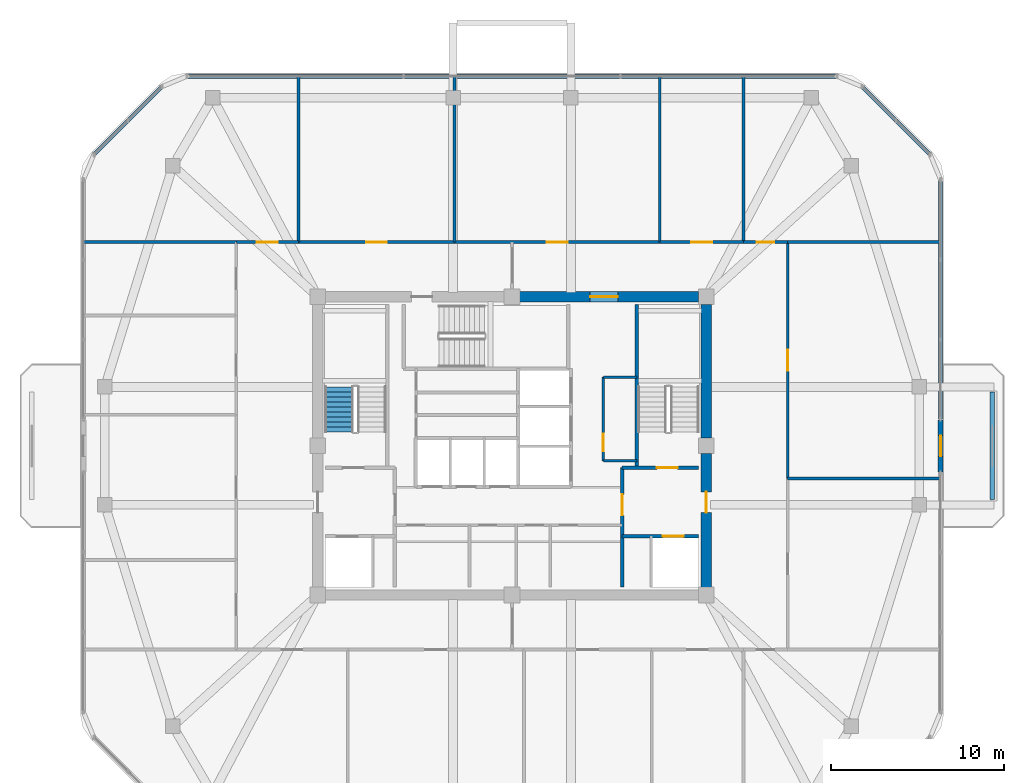
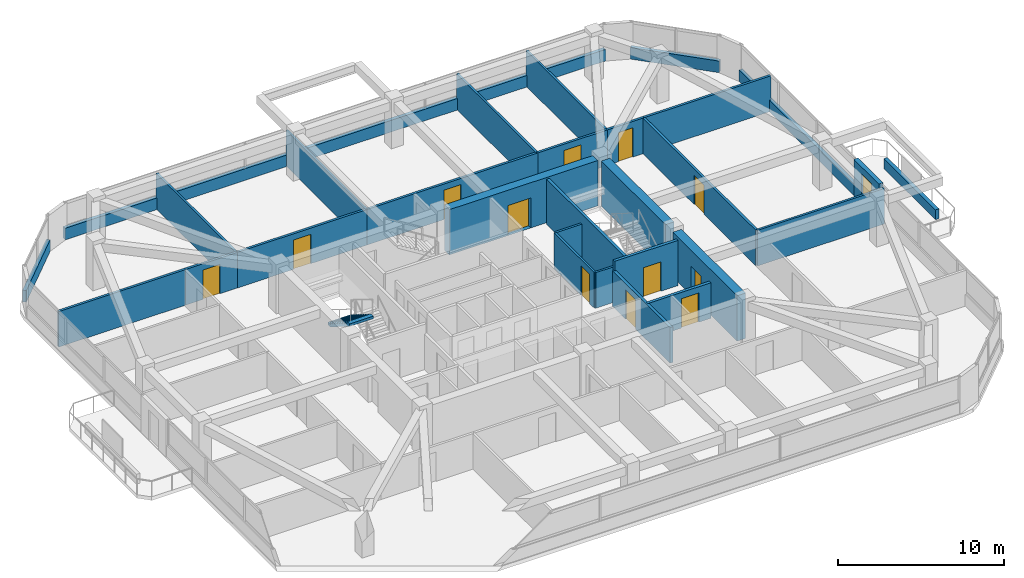
# One storey, part 11 of 14: 29 walls, 13 doors, 1 stair flight, 13 openings, 1 element without a shape of its own.
"""IFC4 building model written with IfcOpenShell, lengths in metres."""

from ifc_helpers import new_model, si_unit, derived_unit, direction, frame, frame_2d, origin, place, context, subcontext, project, spatial, polyline, rectangle, outline, extrude, material, layer, layer_set, type_object, element, fill, aggregate, save


model = new_model("IFC4")

# Units and contexts
model_context = context("Model", 3, precision=1e-05, world=origin(), true_north=direction((0.0, 1.0)))
body_context = subcontext(model_context, "Body", "Model", "MODEL_VIEW")
ifc_project = project(units=[si_unit("LENGTHUNIT", "METRE"), si_unit("AREAUNIT", "SQUARE_METRE"), si_unit("VOLUMEUNIT", "CUBIC_METRE"), si_unit("PLANEANGLEUNIT", "RADIAN"), si_unit("MASSUNIT", "GRAM", prefix="KILO"), derived_unit("THERMALTRANSMITTANCEUNIT", [(si_unit("POWERUNIT", "WATT"), 1), (si_unit("LENGTHUNIT", "METRE"), -2), (si_unit("THERMODYNAMICTEMPERATUREUNIT", "KELVIN"), -1)])], contexts=[model_context])

# Site, building, storey
site_placement = place(None, origin())
site = spatial("IfcSite", under=ifc_project, at=site_placement, CompositionType="ELEMENT")
building_placement = place(site_placement, origin())
building = spatial("IfcBuilding", under=site, at=building_placement, Name="Koralith Skygarden Medical Center", CompositionType="ELEMENT")
storey_placement = place(building_placement, frame((0.0, 0.0, 242.820068359375)))
storey = spatial("IfcBuildingStorey", under=building, at=storey_placement, Name="L62", CompositionType="ELEMENT", Elevation=242.820068359375)

# Wall, opening, door
ifc_material_1 = material(Name="Gypsum Board Partition")
ifc_layer_1 = layer(ifc_material_1, 0.14990234375)
ifc_layer_set_1 = layer_set([ifc_layer_1], Name="Gypsum Board Partition")
wall_type_1 = type_object("IfcWallType", Name="Clinical Acoustic Partition 150", PredefinedType="PARTITIONING", material=ifc_layer_set_1)
wall_1_placement = place(storey_placement, frame((42.27001953125, 25.0400390625, 0.0), z_axis=(0.0, 0.0, 1.0), x_axis=(0.0, 1.0, 0.0)))
wall_1 = element("IfcWall", 1, at=wall_1_placement, inside=storey, type_object=wall_type_1, Name="L62 Clinical Acoustic Partition 150 W-CORE-L62-ESUB-W", PredefinedType="PARTITIONING", context=body_context, shape_type="SweptSolid", body=[
    extrude(rectangle(XDim=4.820068359375, YDim=0.14990234375, at=frame_2d((2.41015625, 0.0))), origin(), (0.0, 0.0, 1.0), 2.60986328125),
])
opening_1_placement = place(wall_1_placement, frame((0.550048828125, 0.0, 0.0)))
opening_1 = element("IfcOpeningElement", 2, at=opening_1_placement, cuts=wall_1, Name="Opening D-SUP", PredefinedType="OPENING", context=body_context, shape_type="SweptSolid", body=[
    extrude(rectangle(XDim=1.0, YDim=2.14990234375, at=frame_2d((0.5, 1.074951171875))), frame((0.0, 0.0849609375, 0.0), z_axis=(0.0, -1.0, 0.0), x_axis=(1.0, 0.0, 0.0)), (0.0, 0.0, 1.0), 0.169921875),
])
ifc_material_2 = material(Name="Aluminium 6063-T6", Category="aluminium")
door_type_1 = type_object("IfcDoorType", Name="Clinical Support Door D-SUP 1000", OperationType="NOTDEFINED", PredefinedType="DOOR", material=ifc_material_2)
door_1_placement = place(opening_1_placement, origin())
door_1 = element("IfcDoor", 3, at=door_1_placement, inside=storey, type_object=door_type_1, Name="L62 Core Equipment Store Door", OperationType="SINGLE_SWING_LEFT", OverallHeight=2.14990234375, OverallWidth=1.0, PredefinedType="DOOR", context=body_context, shape_type="SweptSolid", body=[
    extrude(rectangle(XDim=1.0, YDim=2.14990234375, at=frame_2d((0.5, 1.074951171875))), frame((0.0, 0.02490234375, 0.0), z_axis=(0.0, -1.0, 0.0), x_axis=(1.0, 0.0, 0.0)), (0.0, 0.0, 1.0), 0.050048828125),
])
fill(opening_1, door_1)

# Walls
for number, where, z_axis, x_axis, name in (
    (4, (42.27001953125, 25.0400390625, 0.0), (0.0, 0.0, 1.0), (1.0, 0.0, 0.0), "L62 Clinical Acoustic Partition 150 W-CORE-L62-ESUB-S"),
    (5, (42.27001953125, 29.860107421875, 0.0), (0.0, 0.0, 1.0), (1.0, 0.0, 0.0), "L62 Clinical Acoustic Partition 150 W-CORE-L62-ESUB-N"),
):
    element("IfcWall", number, at=place(storey_placement, frame(where, z_axis=z_axis, x_axis=x_axis)), inside=storey, type_object=wall_type_1, Name=name, PredefinedType="PARTITIONING", context=body_context, shape_type="SweptSolid", body=[
        extrude(rectangle(XDim=1.929931640625, YDim=0.14990234375, at=frame_2d((0.96484375, 0.0))), origin(), (0.0, 0.0, 1.0), 2.60986328125),
    ])
for number, where, z_axis, x_axis, name in (
    (6, (24.68603515625, 37.64990234375, 0.0), (0.0, 0.0, 1.0), (0.0, 1.0, 0.0), "L62 Clinical Acoustic Partition 150 W-PART-L62-N-01"),
    (7, (33.68505859375, 37.64990234375, 0.0), (0.0, 0.0, 1.0), (0.0, 1.0, 0.0), "L62 Clinical Acoustic Partition 150 W-PART-L62-N-02"),
    (8, (45.52490234375, 37.64990234375, 0.0), (0.0, 0.0, 1.0), (0.0, 1.0, 0.0), "L62 Clinical Acoustic Partition 150 W-PART-L62-N-03"),
    (9, (50.35009765625, 37.64990234375, 0.0), (0.0, 0.0, 1.0), (0.0, 1.0, 0.0), "L62 Clinical Acoustic Partition 150 W-PART-L62-N-04"),
):
    element("IfcWall", number, at=place(storey_placement, frame(where, z_axis=z_axis, x_axis=x_axis)), inside=storey, type_object=wall_type_1, Name=name, PredefinedType="PARTITIONING", context=body_context, shape_type="SweptSolid", body=[
        extrude(rectangle(XDim=9.550048828125, YDim=0.14990234375, at=frame_2d((4.77490234375, 0.0))), origin(), (0.0, 0.0, 1.0), 2.60986328125),
    ])
wall_2_placement = place(storey_placement, frame((52.89990234375, 24.02001953125, 0.0), z_axis=(0.0, 0.0, 1.0), x_axis=(1.0, 0.0, 0.0)))
element("IfcWall", 10, at=wall_2_placement, inside=storey, type_object=wall_type_1, Name="L62 Clinical Acoustic Partition 150 W-PART-L62-E-01", PredefinedType="PARTITIONING", context=body_context, shape_type="SweptSolid", body=[
    extrude(rectangle(XDim=8.800048828125, YDim=0.14990234375, at=frame_2d((4.39990234375, 0.0))), origin(), (0.0, 0.0, 1.0), 2.60986328125),
])
ifc_layer_2 = layer(ifc_material_1, 0.1650390625)
ifc_layer_set_2 = layer_set([ifc_layer_2], Name="Gypsum Board Partition")
wall_type_2 = type_object("IfcWallType", Name="Clinical Corridor Partition 165", PredefinedType="PARTITIONING", material=ifc_layer_set_2)
for number, where, z_axis, x_axis, name in (
    (11, (12.300048828125, 37.64990234375, 0.0), (0.0, 0.0, 1.0), (1.0, 0.0, 0.0), "L62 Clinical Corridor Partition 165 W-WB-L62-NW"),
    (12, (52.89990234375, 37.64990234375, 0.0), (0.0, 0.0, 1.0), (1.0, 0.0, 0.0), "L62 Clinical Corridor Partition 165 W-WB-L62-NE"),
):
    element("IfcWall", number, at=place(storey_placement, frame(where, z_axis=z_axis, x_axis=x_axis)), inside=storey, type_object=wall_type_2, Name=name, PredefinedType="PARTITIONING", context=body_context, shape_type="SweptSolid", body=[
        extrude(rectangle(XDim=8.800048828125, YDim=0.1650390625, at=frame_2d((4.39990234375, 0.0))), origin(), (0.0, 0.0, 1.0), 2.60986328125),
    ])

# Wall, opening, door
wall_3_placement = place(storey_placement, frame((21.10009765625, 37.64990234375, 0.0), z_axis=(0.0, 0.0, 1.0), x_axis=(1.0, 0.0, 0.0)))
wall_3 = element("IfcWall", 13, at=wall_3_placement, inside=storey, type_object=wall_type_2, Name="L62 Clinical Corridor Partition 165 W-CORR-L62-N-01", PredefinedType="PARTITIONING", context=body_context, shape_type="SweptSolid", body=[
    extrude(rectangle(XDim=3.5859375, YDim=0.1650390625, at=frame_2d((1.79296875, 0.0))), origin(), (0.0, 0.0, 1.0), 2.60986328125),
])
opening_2_placement = place(wall_3_placement, frame((1.193115234375, 0.0, 0.0)))
opening_2 = element("IfcOpeningElement", 14, at=opening_2_placement, cuts=wall_3, Name="Opening D-CLN", PredefinedType="OPENING", context=body_context, shape_type="SweptSolid", body=[
    extrude(rectangle(XDim=1.199951171875, YDim=2.14990234375, at=frame_2d((0.60009765625, 1.074951171875))), frame((0.0, 0.092529296875, 0.0), z_axis=(0.0, -1.0, 0.0), x_axis=(1.0, 0.0, 0.0)), (0.0, 0.0, 1.0), 0.18505859375),
])
door_type_2 = type_object("IfcDoorType", Name="Clinical Corridor Door D-CLN 1200", OperationType="NOTDEFINED", PredefinedType="DOOR", material=ifc_material_2)
door_2_placement = place(opening_2_placement, origin())
door_2 = element("IfcDoor", 15, at=door_2_placement, inside=storey, type_object=door_type_2, Name="L62 Staff Refreshment and Nutrition Pantry 01 Door", OperationType="SINGLE_SWING_RIGHT", OverallHeight=2.14990234375, OverallWidth=1.199951171875, PredefinedType="DOOR", context=body_context, shape_type="SweptSolid", body=[
    extrude(rectangle(XDim=1.199951171875, YDim=2.14990234375, at=frame_2d((0.60009765625, 1.074951171875))), frame((0.0, 0.02490234375, 0.0), z_axis=(0.0, -1.0, 0.0), x_axis=(1.0, 0.0, 0.0)), (0.0, 0.0, 1.0), 0.050048828125),
])
fill(opening_2, door_2)

wall_4_placement = place(storey_placement, frame((24.68603515625, 37.64990234375, 0.0), z_axis=(0.0, 0.0, 1.0), x_axis=(1.0, 0.0, 0.0)))
wall_4 = element("IfcWall", 16, at=wall_4_placement, inside=storey, type_object=wall_type_2, Name="L62 Clinical Corridor Partition 165 W-CORR-L62-N-02", PredefinedType="PARTITIONING", context=body_context, shape_type="SweptSolid", body=[
    extrude(rectangle(XDim=8.9990234375, YDim=0.1650390625, at=frame_2d((4.49951171875, 0.0))), origin(), (0.0, 0.0, 1.0), 2.60986328125),
])
opening_3_placement = place(wall_4_placement, frame((3.89990234375, 0.0, 0.0)))
opening_3 = element("IfcOpeningElement", 17, at=opening_3_placement, cuts=wall_4, Name="Opening D-CLN", PredefinedType="OPENING", context=body_context, shape_type="SweptSolid", body=[
    extrude(rectangle(XDim=1.199951171875, YDim=2.14990234375, at=frame_2d((0.60009765625, 1.074951171875))), frame((0.0, 0.092529296875, 0.0), z_axis=(0.0, -1.0, 0.0), x_axis=(1.0, 0.0, 0.0)), (0.0, 0.0, 1.0), 0.18505859375),
])
door_3_placement = place(opening_3_placement, origin())
door_3 = element("IfcDoor", 18, at=door_3_placement, inside=storey, type_object=door_type_2, Name="L62 Clinical Pharmacist Office 02 Door", OperationType="SINGLE_SWING_LEFT", OverallHeight=2.14990234375, OverallWidth=1.199951171875, PredefinedType="DOOR", context=body_context, shape_type="SweptSolid", body=[
    extrude(rectangle(XDim=1.199951171875, YDim=2.14990234375, at=frame_2d((0.60009765625, 1.074951171875))), frame((0.0, 0.02490234375, 0.0), z_axis=(0.0, -1.0, 0.0), x_axis=(1.0, 0.0, 0.0)), (0.0, 0.0, 1.0), 0.050048828125),
])
fill(opening_3, door_3)

wall_5_placement = place(storey_placement, frame((33.68505859375, 37.64990234375, 0.0), z_axis=(0.0, 0.0, 1.0), x_axis=(1.0, 0.0, 0.0)))
wall_5 = element("IfcWall", 19, at=wall_5_placement, inside=storey, type_object=wall_type_2, Name="L62 Clinical Corridor Partition 165 W-CORR-L62-N-03", PredefinedType="PARTITIONING", context=body_context, shape_type="SweptSolid", body=[
    extrude(rectangle(XDim=11.83984375, YDim=0.1650390625, at=frame_2d((5.919921875, 0.0))), origin(), (0.0, 0.0, 1.0), 2.60986328125),
])
opening_4_placement = place(wall_5_placement, frame((5.320068359375, 0.0, 0.0)))
opening_4 = element("IfcOpeningElement", 20, at=opening_4_placement, cuts=wall_5, Name="Opening D-CLN", PredefinedType="OPENING", context=body_context, shape_type="SweptSolid", body=[
    extrude(rectangle(XDim=1.199951171875, YDim=2.14990234375, at=frame_2d((0.60009765625, 1.074951171875))), frame((0.0, 0.092529296875, 0.0), z_axis=(0.0, -1.0, 0.0), x_axis=(1.0, 0.0, 0.0)), (0.0, 0.0, 1.0), 0.18505859375),
])
door_4_placement = place(opening_4_placement, origin())
door_4 = element("IfcDoor", 21, at=door_4_placement, inside=storey, type_object=door_type_2, Name="L62 Social Work Counseling Office 03 Door", OperationType="SINGLE_SWING_RIGHT", OverallHeight=2.14990234375, OverallWidth=1.199951171875, PredefinedType="DOOR", context=body_context, shape_type="SweptSolid", body=[
    extrude(rectangle(XDim=1.199951171875, YDim=2.14990234375, at=frame_2d((0.60009765625, 1.074951171875))), frame((0.0, 0.02490234375, 0.0), z_axis=(0.0, -1.0, 0.0), x_axis=(1.0, 0.0, 0.0)), (0.0, 0.0, 1.0), 0.050048828125),
])
fill(opening_4, door_4)

wall_6_placement = place(storey_placement, frame((45.52490234375, 37.64990234375, 0.0), z_axis=(0.0, 0.0, 1.0), x_axis=(1.0, 0.0, 0.0)))
wall_6 = element("IfcWall", 22, at=wall_6_placement, inside=storey, type_object=wall_type_2, Name="L62 Clinical Corridor Partition 165 W-CORR-L62-N-04", PredefinedType="PARTITIONING", context=body_context, shape_type="SweptSolid", body=[
    extrude(rectangle(XDim=4.8251953125, YDim=0.1650390625, at=frame_2d((2.41259765625, 0.0))), origin(), (0.0, 0.0, 1.0), 2.60986328125),
])
opening_5_placement = place(wall_6_placement, frame((1.81298828125, 0.0, 0.0)))
opening_5 = element("IfcOpeningElement", 23, at=opening_5_placement, cuts=wall_6, Name="Opening D-CLN", PredefinedType="OPENING", context=body_context, shape_type="SweptSolid", body=[
    extrude(rectangle(XDim=1.199951171875, YDim=2.14990234375, at=frame_2d((0.60009765625, 1.074951171875))), frame((0.0, 0.092529296875, 0.0), z_axis=(0.0, -1.0, 0.0), x_axis=(1.0, 0.0, 0.0)), (0.0, 0.0, 1.0), 0.18505859375),
])
door_5_placement = place(opening_5_placement, origin())
door_5 = element("IfcDoor", 24, at=door_5_placement, inside=storey, type_object=door_type_2, Name="L62 Clinical Consultation Office 04 Door", OperationType="SINGLE_SWING_LEFT", OverallHeight=2.14990234375, OverallWidth=1.199951171875, PredefinedType="DOOR", context=body_context, shape_type="SweptSolid", body=[
    extrude(rectangle(XDim=1.199951171875, YDim=2.14990234375, at=frame_2d((0.60009765625, 1.074951171875))), frame((0.0, 0.02490234375, 0.0), z_axis=(0.0, -1.0, 0.0), x_axis=(1.0, 0.0, 0.0)), (0.0, 0.0, 1.0), 0.050048828125),
])
fill(opening_5, door_5)

wall_7_placement = place(storey_placement, frame((50.35009765625, 37.64990234375, 0.0), z_axis=(0.0, 0.0, 1.0), x_axis=(1.0, 0.0, 0.0)))
wall_7 = element("IfcWall", 25, at=wall_7_placement, inside=storey, type_object=wall_type_2, Name="L62 Clinical Corridor Partition 165 W-CORR-L62-N-05", PredefinedType="PARTITIONING", context=body_context, shape_type="SweptSolid", body=[
    extrude(rectangle(XDim=2.5498046875, YDim=0.1650390625, at=frame_2d((1.27490234375, 0.0))), origin(), (0.0, 0.0, 1.0), 2.60986328125),
])
opening_6_placement = place(wall_7_placement, frame((0.77490234375, 0.0, 0.0)))
opening_6 = element("IfcOpeningElement", 26, at=opening_6_placement, cuts=wall_7, Name="Opening D-SUP", PredefinedType="OPENING", context=body_context, shape_type="SweptSolid", body=[
    extrude(rectangle(XDim=1.0, YDim=2.14990234375, at=frame_2d((0.5, 1.074951171875))), frame((0.0, 0.092529296875, 0.0), z_axis=(0.0, -1.0, 0.0), x_axis=(1.0, 0.0, 0.0)), (0.0, 0.0, 1.0), 0.18505859375),
])
door_6_placement = place(opening_6_placement, origin())
door_6 = element("IfcDoor", 27, at=door_6_placement, inside=storey, type_object=door_type_1, Name="L62 Staff Refreshment and Nutrition Pantry 05 Door", OperationType="SINGLE_SWING_RIGHT", OverallHeight=2.14990234375, OverallWidth=1.0, PredefinedType="DOOR", context=body_context, shape_type="SweptSolid", body=[
    extrude(rectangle(XDim=1.0, YDim=2.14990234375, at=frame_2d((0.5, 1.074951171875))), frame((0.0, 0.02490234375, 0.0), z_axis=(0.0, -1.0, 0.0), x_axis=(1.0, 0.0, 0.0)), (0.0, 0.0, 1.0), 0.050048828125),
])
fill(opening_6, door_6)

wall_8_placement = place(storey_placement, frame((52.89990234375, 24.02001953125, 0.0), z_axis=(0.0, 0.0, 1.0), x_axis=(0.0, 1.0, 0.0)))
wall_8 = element("IfcWall", 28, at=wall_8_placement, inside=storey, type_object=wall_type_2, Name="L62 Clinical Corridor Partition 165 W-CORR-L62-E-02", PredefinedType="PARTITIONING", context=body_context, shape_type="SweptSolid", body=[
    extrude(rectangle(XDim=13.6298828125, YDim=0.1650390625, at=frame_2d((6.81494140625, 0.0))), origin(), (0.0, 0.0, 1.0), 2.60986328125),
])
opening_7_placement = place(wall_8_placement, frame((6.215087890625, 0.0, 0.0)))
opening_7 = element("IfcOpeningElement", 29, at=opening_7_placement, cuts=wall_8, Name="Opening D-CLN", PredefinedType="OPENING", context=body_context, shape_type="SweptSolid", body=[
    extrude(rectangle(XDim=1.199951171875, YDim=2.14990234375, at=frame_2d((0.60009765625, 1.074951171875))), frame((0.0, 0.092529296875, 0.0), z_axis=(0.0, -1.0, 0.0), x_axis=(1.0, 0.0, 0.0)), (0.0, 0.0, 1.0), 0.18505859375),
])
door_7_placement = place(opening_7_placement, origin())
door_7 = element("IfcDoor", 30, at=door_7_placement, inside=storey, type_object=door_type_2, Name="L62 Patient and Family Sky-Garden Day Lounge 16 Door", OperationType="SINGLE_SWING_LEFT", OverallHeight=2.14990234375, OverallWidth=1.199951171875, PredefinedType="DOOR", context=body_context, shape_type="SweptSolid", body=[
    extrude(rectangle(XDim=1.199951171875, YDim=2.14990234375, at=frame_2d((0.60009765625, 1.074951171875))), frame((0.0, 0.02490234375, 0.0), z_axis=(0.0, -1.0, 0.0), x_axis=(1.0, 0.0, 0.0)), (0.0, 0.0, 1.0), 0.050048828125),
])
fill(opening_7, door_7)

ifc_layer_3 = layer(ifc_material_1, 0.199951171875)
ifc_layer_set_3 = layer_set([ifc_layer_3], Name="Gypsum Board Partition")
wall_type_3 = type_object("IfcWallType", Name="Fire Shaft Wall 200", PredefinedType="SOLIDWALL", material=ifc_layer_set_3)
wall_9_placement = place(storey_placement, frame((43.35009765625, 20.699951171875, 0.0), z_axis=(0.0, 0.0, 1.0), x_axis=(1.0, 0.0, 0.0)))
wall_9 = element("IfcWall", 31, at=wall_9_placement, inside=storey, type_object=wall_type_3, Name="L62 Fire Shaft Wall 200 W-CORE-L62-FF2-N", PredefinedType="SOLIDWALL", context=body_context, shape_type="SweptSolid", body=[
    extrude(rectangle(XDim=4.39990234375, YDim=0.199951171875, at=frame_2d((2.199951171875, 0.0))), origin(), (0.0, 0.0, 1.0), 2.60986328125),
])
opening_8_placement = place(wall_9_placement, frame((2.35009765625, 0.0, 0.0)))
opening_8 = element("IfcOpeningElement", 32, at=opening_8_placement, cuts=wall_9, Name="Opening LD-FF", PredefinedType="OPENING", context=body_context, shape_type="SweptSolid", body=[
    extrude(rectangle(XDim=1.199951171875, YDim=2.14990234375, at=frame_2d((0.60009765625, 1.074951171875))), frame((0.0, 0.10986328125, 0.0), z_axis=(0.0, -1.0, 0.0), x_axis=(1.0, 0.0, 0.0)), (0.0, 0.0, 1.0), 0.219970703125),
])
ifc_material_3 = material(Name="Steel ASTM A500 Grade C", Category="steel")
door_type_3 = type_object("IfcDoorType", Name="Fire Lift Sliding Landing Door LD-FF 1200", OperationType="NOTDEFINED", PredefinedType="DOOR", material=ifc_material_3)
door_8_placement = place(opening_8_placement, origin())
door_8 = element("IfcDoor", 33, at=door_8_placement, inside=storey, type_object=door_type_3, Name="L62 Fire Service Elevator FF2 Landing Door", OperationType="SLIDING_TO_RIGHT", OverallHeight=2.14990234375, OverallWidth=1.199951171875, PredefinedType="DOOR", context=body_context, shape_type="SweptSolid", body=[
    extrude(rectangle(XDim=1.199951171875, YDim=2.14990234375, at=frame_2d((0.60009765625, 1.074951171875))), frame((0.0, 0.02490234375, 0.0), z_axis=(0.0, -1.0, 0.0), x_axis=(1.0, 0.0, 0.0)), (0.0, 0.0, 1.0), 0.050048828125),
])
fill(opening_8, door_8)

wall_10_placement = place(storey_placement, frame((43.35009765625, 17.75, 0.0), z_axis=(0.0, 0.0, 1.0), x_axis=(0.0, 1.0, 0.0)))
wall_10 = element("IfcWall", 34, at=wall_10_placement, inside=storey, type_object=wall_type_3, Name="L62 Fire Shaft Wall 200 W-CORE-L62-FSAEE-W", PredefinedType="SOLIDWALL", context=body_context, shape_type="SweptSolid", body=[
    extrude(rectangle(XDim=6.89990234375, YDim=0.199951171875, at=frame_2d((3.449951171875, 0.0))), origin(), (0.0, 0.0, 1.0), 2.60986328125),
])
opening_9_placement = place(wall_10_placement, frame((4.14990234375, 0.0, 0.0)))
opening_9 = element("IfcOpeningElement", 35, at=opening_9_placement, cuts=wall_10, Name="Opening D-ST60", PredefinedType="OPENING", context=body_context, shape_type="SweptSolid", body=[
    extrude(rectangle(XDim=1.199951171875, YDim=2.14990234375, at=frame_2d((0.60009765625, 1.074951171875))), frame((0.0, 0.10986328125, 0.0), z_axis=(0.0, -1.0, 0.0), x_axis=(1.0, 0.0, 0.0)), (0.0, 0.0, 1.0), 0.219970703125),
])
door_type_4 = type_object("IfcDoorType", Name="Smokeproof Stair Fire Door FD60S 1200", OperationType="NOTDEFINED", PredefinedType="DOOR", material=ifc_material_3)
door_9_placement = place(opening_9_placement, frame((1.199951171875, 0.0, 0.0), z_axis=(0.0, 0.0, 1.0), x_axis=(-1.0, 0.0, 0.0)))
door_9 = element("IfcDoor", 36, at=door_9_placement, inside=storey, type_object=door_type_4, Name="L62 East Firefighting Lobby Inner Fire Door", OperationType="SINGLE_SWING_RIGHT", OverallHeight=2.14990234375, OverallWidth=1.199951171875, PredefinedType="DOOR", context=body_context, shape_type="SweptSolid", body=[
    extrude(rectangle(XDim=1.199951171875, YDim=2.14990234375, at=frame_2d((0.60009765625, 1.074951171875))), frame((0.0, 0.02490234375, 0.0), z_axis=(0.0, -1.0, 0.0), x_axis=(1.0, 0.0, 0.0)), (0.0, 0.0, 1.0), 0.050048828125),
])
fill(opening_9, door_9)

# Walls
ifc_material_4 = material(Name="Warm Oolitic Limestone Cladding", Category="masonry")
ifc_layer_4 = layer(ifc_material_4, 0.239990234375)
ifc_layer_set_4 = layer_set([ifc_layer_4], Name="Warm Oolitic Limestone Cladding")
wall_type_4 = type_object("IfcWallType", Name="Limestone Spandrel Sill Backup Wall 240", PredefinedType="SOLIDWALL", material=ifc_layer_set_4)
wall_11_placement = place(storey_placement, frame((61.719970703125, 27.43994140625, 0.0), z_axis=(0.0, 0.0, 1.0), x_axis=(0.0, 1.0, 0.0)))
element("IfcWall", 37, at=wall_11_placement, inside=storey, type_object=wall_type_4, Name="L62 Sill Spandrel E-R", PredefinedType="SOLIDWALL", context=body_context, shape_type="SweptSolid", body=[
    extrude(rectangle(XDim=13.80517578125, YDim=0.239990234375, at=frame_2d((6.902587890625, 0.0))), origin(), (0.0, 0.0, 1.0), 0.849853515625),
])
wall_12_placement = place(storey_placement, frame((61.118896484375, 42.696044921875, 0.0), z_axis=(0.0, 0.0, 1.0), x_axis=(-0.707106781187, 0.707106781187, 0.0)))
element("IfcWall", 38, at=wall_12_placement, inside=storey, type_object=wall_type_4, Name="L62 Sill Spandrel NE", PredefinedType="SOLIDWALL", context=body_context, shape_type="SweptSolid", body=[
    extrude(rectangle(XDim=5.5478515625, YDim=0.239990234375, at=frame_2d((2.77392578125, 0.0))), origin(), (0.0, 0.0, 1.0), 0.849853515625),
])
wall_13_placement = place(storey_placement, frame((55.7451171875, 47.219970703125, 0.0), z_axis=(0.0, 0.0, 1.0), x_axis=(-1.0, 0.0, 0.0)))
element("IfcWall", 39, at=wall_13_placement, inside=storey, type_object=wall_type_4, Name="L62 Sill Spandrel N", PredefinedType="SOLIDWALL", context=body_context, shape_type="SweptSolid", body=[
    extrude(rectangle(XDim=37.490234375, YDim=0.239990234375, at=frame_2d((18.7451171875, 0.0))), origin(), (0.0, 0.0, 1.0), 0.849853515625),
])
wall_14_placement = place(storey_placement, frame((16.803955078125, 46.618896484375, 0.0), z_axis=(0.0, 0.0, 1.0), x_axis=(-0.707106781187, -0.707106781187, 0.0)))
element("IfcWall", 40, at=wall_14_placement, inside=storey, type_object=wall_type_4, Name="L62 Sill Spandrel NW", PredefinedType="SOLIDWALL", context=body_context, shape_type="SweptSolid", body=[
    extrude(rectangle(XDim=5.5478515625, YDim=0.239990234375, at=frame_2d((2.77392578125, 0.0))), origin(), (0.0, 0.0, 1.0), 0.849853515625),
])

# Wall, opening, door
ifc_layer_5 = layer(ifc_material_4, 0.300048828125)
ifc_layer_set_5 = layer_set([ifc_layer_5], Name="Warm Oolitic Limestone Cladding")
wall_type_5 = type_object("IfcWallType", Name="Oolitic Limestone Insulated Facade Wall 300", PredefinedType="SOLIDWALL", material=ifc_layer_set_5)
wall_15_placement = place(storey_placement, frame((61.719970703125, 24.39990234375, 0.0), z_axis=(0.0, 0.0, 1.0), x_axis=(0.0, 1.0, 0.0)))
wall_15 = element("IfcWall", 41, at=wall_15_placement, inside=storey, type_object=wall_type_5, Name="L62 Terrace Portal Wall E", PredefinedType="SOLIDWALL", context=body_context, shape_type="SweptSolid", body=[
    extrude(rectangle(XDim=3.0, YDim=0.300048828125, at=frame_2d((1.5, 0.0))), origin(), (0.0, 0.0, 1.0), 2.68994140625),
])
opening_10_placement = place(wall_15_placement, frame((0.89990234375, 0.0, 0.0)))
opening_10 = element("IfcOpeningElement", 42, at=opening_10_placement, cuts=wall_15, Name="Opening D-BAL", PredefinedType="OPENING", context=body_context, shape_type="SweptSolid", body=[
    extrude(rectangle(XDim=1.199951171875, YDim=2.199951171875, at=frame_2d((0.60009765625, 1.10009765625))), frame((0.0, 0.159912109375, 0.0), z_axis=(0.0, -1.0, 0.0), x_axis=(1.0, 0.0, 0.0)), (0.0, 0.0, 1.0), 0.320068359375),
])
door_type_5 = type_object("IfcDoorType", Name="Planted Balcony Glazed Terrace Door D-BAL 1200", OperationType="NOTDEFINED", PredefinedType="DOOR", material=ifc_material_2)
door_10_placement = place(opening_10_placement, origin())
door_10 = element("IfcDoor", 43, at=door_10_placement, inside=storey, type_object=door_type_5, Name="L62 E Outdoor Terrace Access Door", OperationType="SINGLE_SWING_LEFT", OverallHeight=2.199951171875, OverallWidth=1.199951171875, PredefinedType="DOOR", context=body_context, shape_type="SweptSolid", body=[
    extrude(rectangle(XDim=1.199951171875, YDim=2.199951171875, at=frame_2d((0.60009765625, 1.10009765625))), frame((0.0, 0.02490234375, 0.0), z_axis=(0.0, -1.0, 0.0), x_axis=(1.0, 0.0, 0.0)), (0.0, 0.0, 1.0), 0.050048828125),
])
fill(opening_10, door_10)

# Walls
ifc_material_5 = material(Name="Precast concrete C40/50", Category="concrete")
ifc_layer_6 = layer(ifc_material_5, 0.25)
ifc_layer_set_6 = layer_set([ifc_layer_6], Name="Precast concrete C40/50")
wall_type_6 = type_object("IfcWallType", Name="Structural Concrete Balcony Planter Kerb 250", PredefinedType="PARAPET", material=ifc_layer_set_6)
wall_16_placement = place(storey_placement, frame((64.699951171875, 22.800048828125, 0.0), z_axis=(0.0, 0.0, 1.0), x_axis=(0.0, 1.0, 0.0)))
element("IfcWall", 44, at=wall_16_placement, inside=storey, type_object=wall_type_6, Name="L62 E Structural Tree PLANTER Box", PredefinedType="PARAPET", context=body_context, shape_type="SweptSolid", body=[
    extrude(rectangle(XDim=6.199951171875, YDim=0.25, at=frame_2d((3.10009765625, 0.0))), origin(), (0.0, 0.0, 1.0), 0.719970703125),
])
ifc_material_6 = material(Name="Concrete C45/55", Category="concrete")
ifc_layer_7 = layer(ifc_material_6, 0.199951171875)
ifc_layer_set_7 = layer_set([ifc_layer_7], Name="Concrete C45/55")
wall_type_7 = type_object("IfcWallType", Name="Structural Stair Shaft Wall 200", PredefinedType="SHEAR", material=ifc_layer_set_7)
wall_17_placement = place(storey_placement, frame((44.199951171875, 24.64990234375, 0.0), z_axis=(0.0, 0.0, 1.0), x_axis=(0.0, 1.0, 0.0)))
element("IfcWall", 45, at=wall_17_placement, inside=storey, type_object=wall_type_7, Name="L62 Structural Stair Shaft Wall 200 W-CORE-L62-ST2-W", PredefinedType="SHEAR", context=body_context, shape_type="SweptSolid", body=[
    extrude(rectangle(XDim=9.400146484375, YDim=0.199951171875, at=frame_2d((4.7001953125, 0.0))), origin(), (0.0, 0.0, 1.0), 3.31982421875),
])

# Wall, opening, door
wall_18_placement = place(storey_placement, frame((43.35009765625, 24.64990234375, 0.0), z_axis=(0.0, 0.0, 1.0), x_axis=(1.0, 0.0, 0.0)))
wall_18 = element("IfcWall", 46, at=wall_18_placement, inside=storey, type_object=wall_type_7, Name="L62 Structural Stair Shaft Wall 200 W-CORE-L62-ST2-S", PredefinedType="SHEAR", context=body_context, shape_type="SweptSolid", body=[
    extrude(rectangle(XDim=4.39990234375, YDim=0.199951171875, at=frame_2d((2.199951171875, 0.0))), origin(), (0.0, 0.0, 1.0), 3.31982421875),
])
opening_11_placement = place(wall_18_placement, frame((2.0, 0.0, 0.0)))
opening_11 = element("IfcOpeningElement", 47, at=opening_11_placement, cuts=wall_18, Name="Opening D-ST60", PredefinedType="OPENING", context=body_context, shape_type="SweptSolid", body=[
    extrude(rectangle(XDim=1.199951171875, YDim=2.14990234375, at=frame_2d((0.60009765625, 1.074951171875))), frame((0.0, 0.10986328125, 0.0), z_axis=(0.0, -1.0, 0.0), x_axis=(1.0, 0.0, 0.0)), (0.0, 0.0, 1.0), 0.219970703125),
])
door_11_placement = place(opening_11_placement, origin())
door_11 = element("IfcDoor", 48, at=door_11_placement, inside=storey, type_object=door_type_4, Name="L62 Exit Stair ST2 Fire Door", OperationType="SINGLE_SWING_RIGHT", OverallHeight=2.14990234375, OverallWidth=1.199951171875, PredefinedType="DOOR", context=body_context, shape_type="SweptSolid", body=[
    extrude(rectangle(XDim=1.199951171875, YDim=2.14990234375, at=frame_2d((0.60009765625, 1.074951171875))), frame((0.0, 0.02490234375, 0.0), z_axis=(0.0, -1.0, 0.0), x_axis=(1.0, 0.0, 0.0)), (0.0, 0.0, 1.0), 0.050048828125),
])
fill(opening_11, door_11)

ifc_material_7 = material(Name="Concrete C55/67", Category="concrete")
ifc_layer_8 = layer(ifc_material_7, 0.60009765625)
ifc_layer_set_8 = layer_set([ifc_layer_8], Name="Concrete C55/67")
wall_type_8 = type_object("IfcWallType", Name="Upper Core Shear Wall 600", PredefinedType="SHEAR", material=ifc_layer_set_8)
wall_19_placement = place(storey_placement, frame((48.199951171875, 17.7451171875, 0.0), z_axis=(0.0, 0.0, 1.0), x_axis=(0.0, 1.0, 0.0)))
wall_19 = element("IfcWall", 49, at=wall_19_placement, inside=storey, type_object=wall_type_8, Name="L62 Core Shear Wall Segment 3", PredefinedType="SHEAR", context=body_context, shape_type="SweptSolid", body=[
    extrude(rectangle(XDim=7.7099609375, YDim=0.60009765625, at=frame_2d((3.85498046875, 0.0))), origin(), (0.0, 0.0, 1.0), 3.31982421875),
])
opening_12_placement = place(wall_19_placement, frame((4.304931640625, 0.0, 0.0)))
opening_12 = element("IfcOpeningElement", 50, at=opening_12_placement, cuts=wall_19, Name="Opening D-ST60", PredefinedType="OPENING", context=body_context, shape_type="SweptSolid", body=[
    extrude(rectangle(XDim=1.199951171875, YDim=2.14990234375, at=frame_2d((0.60009765625, 1.074951171875))), frame((0.0, 0.31005859375, 0.0), z_axis=(0.0, -1.0, 0.0), x_axis=(1.0, 0.0, 0.0)), (0.0, 0.0, 1.0), 0.6201171875),
])
door_12_placement = place(opening_12_placement, frame((1.199951171875, 0.0, 0.0), z_axis=(0.0, 0.0, 1.0), x_axis=(-1.0, 0.0, 0.0)))
door_12 = element("IfcDoor", 51, at=door_12_placement, inside=storey, type_object=door_type_4, Name="L62 East Corridor to Firefighting Lobby Door", OperationType="SINGLE_SWING_RIGHT", OverallHeight=2.14990234375, OverallWidth=1.199951171875, PredefinedType="DOOR", context=body_context, shape_type="SweptSolid", body=[
    extrude(rectangle(XDim=1.199951171875, YDim=2.14990234375, at=frame_2d((0.60009765625, 1.074951171875))), frame((0.0, 0.02490234375, 0.0), z_axis=(0.0, -1.0, 0.0), x_axis=(1.0, 0.0, 0.0)), (0.0, 0.0, 1.0), 0.050048828125),
])
fill(opening_12, door_12)

# Wall
wall_20_placement = place(storey_placement, frame((48.199951171875, 26.344970703125, 0.0), z_axis=(0.0, 0.0, 1.0), x_axis=(0.0, 1.0, 0.0)))
element("IfcWall", 52, at=wall_20_placement, inside=storey, type_object=wall_type_8, Name="L62 Core Shear Wall Segment 4", PredefinedType="SHEAR", context=body_context, shape_type="SweptSolid", body=[
    extrude(rectangle(XDim=7.7099609375, YDim=0.60009765625, at=frame_2d((3.85498046875, 0.0))), origin(), (0.0, 0.0, 1.0), 3.31982421875),
])

# Wall, opening, door
wall_21_placement = place(storey_placement, frame((47.7548828125, 34.5, 0.0), z_axis=(0.0, 0.0, 1.0), x_axis=(-1.0, 0.0, 0.0)))
wall_21 = element("IfcWall", 53, at=wall_21_placement, inside=storey, type_object=wall_type_8, Name="L62 Core Shear Wall Segment 5", PredefinedType="SHEAR", context=body_context, shape_type="SweptSolid", body=[
    extrude(rectangle(XDim=10.309814453125, YDim=0.60009765625, at=frame_2d((5.15478515625, 0.0))), origin(), (0.0, 0.0, 1.0), 3.31982421875),
])
opening_13_placement = place(wall_21_placement, frame((4.655029296875, 0.0, 0.0)))
opening_13 = element("IfcOpeningElement", 54, at=opening_13_placement, cuts=wall_21, Name="Opening D-DBL", PredefinedType="OPENING", context=body_context, shape_type="SweptSolid", body=[
    extrude(rectangle(XDim=1.60009765625, YDim=2.199951171875, at=frame_2d((0.800048828125, 1.10009765625))), frame((0.0, 0.31005859375, 0.0), z_axis=(0.0, -1.0, 0.0), x_axis=(1.0, 0.0, 0.0)), (0.0, 0.0, 1.0), 0.6201171875),
])
door_type_6 = type_object("IfcDoorType", Name="Double Clinical Suite Door D-DBL 1600", OperationType="NOTDEFINED", PredefinedType="DOOR", material=ifc_material_2)
door_13_placement = place(opening_13_placement, frame((1.60009765625, 0.0, 0.0), z_axis=(0.0, 0.0, 1.0), x_axis=(-1.0, 0.0, 0.0)))
door_13 = element("IfcDoor", 55, at=door_13_placement, inside=storey, type_object=door_type_6, Name="L62 North-East Corridor to Elevator Lobby Door", OperationType="DOUBLE_DOOR_SINGLE_SWING", OverallHeight=2.199951171875, OverallWidth=1.60009765625, PredefinedType="DOOR", context=body_context, shape_type="SweptSolid", body=[
    extrude(rectangle(XDim=1.60009765625, YDim=2.199951171875, at=frame_2d((0.800048828125, 1.10009765625))), frame((0.0, 0.02490234375, 0.0), z_axis=(0.0, -1.0, 0.0), x_axis=(1.0, 0.0, 0.0)), (0.0, 0.0, 1.0), 0.050048828125),
])
fill(opening_13, door_13)

# Stair, stair flight
stair_type = type_object("IfcStairType", Name="Core Exit Dogleg Concrete Stair", PredefinedType="HALF_TURN_STAIR", material=ifc_material_6)
stair_placement = place(storey_placement, origin())
stair = element("IfcStair", 56, at=stair_placement, inside=storey, type_object=stair_type, Name="L62 Smokeproof Exit Stair ST1", PredefinedType="HALF_TURN_STAIR")
stair_flight_type = type_object("IfcStairFlightType", Name="Core Exit Concrete Stair Flight 1650", PredefinedType="STRAIGHT", material=ifc_material_6)
stair_flight_placement = place(storey_placement, frame((27.02490234375, 29.31005859375, 1.800048828125), z_axis=(0.0, 0.0, 1.0), x_axis=(0.0, -1.0, 0.0)))
stair_flight = element("IfcStairFlight", 57, at=stair_flight_placement, type_object=stair_flight_type, Name="ST1 flight 2", NumberOfRisers=10, NumberOfTreads=9, PredefinedType="STRAIGHT", RiserHeight=0.18, TreadLength=0.29, context=body_context, shape_type="SweptSolid", body=[
    extrude(outline(polyline([(0.0, 0.0), (0.0, 0.179931640625), (0.2900390625, 0.179931640625), (0.2900390625, 0.360107421875), (0.580078125, 0.360107421875), (0.580078125, 0.5400390625), (0.8701171875, 0.5400390625), (0.8701171875, 0.719970703125), (1.159912109375, 0.719970703125), (1.159912109375, 0.89990234375), (1.449951171875, 0.89990234375), (1.449951171875, 1.080078125), (1.739990234375, 1.080078125), (1.739990234375, 1.260009765625), (2.030029296875, 1.260009765625), (2.030029296875, 1.43994140625), (2.320068359375, 1.43994140625), (2.320068359375, 1.6201171875), (2.610107421875, 1.6201171875), (2.610107421875, 1.800048828125), (2.610107421875, 1.443603515625), (0.2841796875, 0.0), (0.0, 0.0)])), frame((0.0, 0.824951171875, 0.0), z_axis=(0.0, -1.0, 0.0), x_axis=(1.0, 0.0, 0.0)), (0.0, 0.0, 1.0), 1.64990234375),
])
aggregate(stair, [stair_flight])

save(model, "model.ifc")
